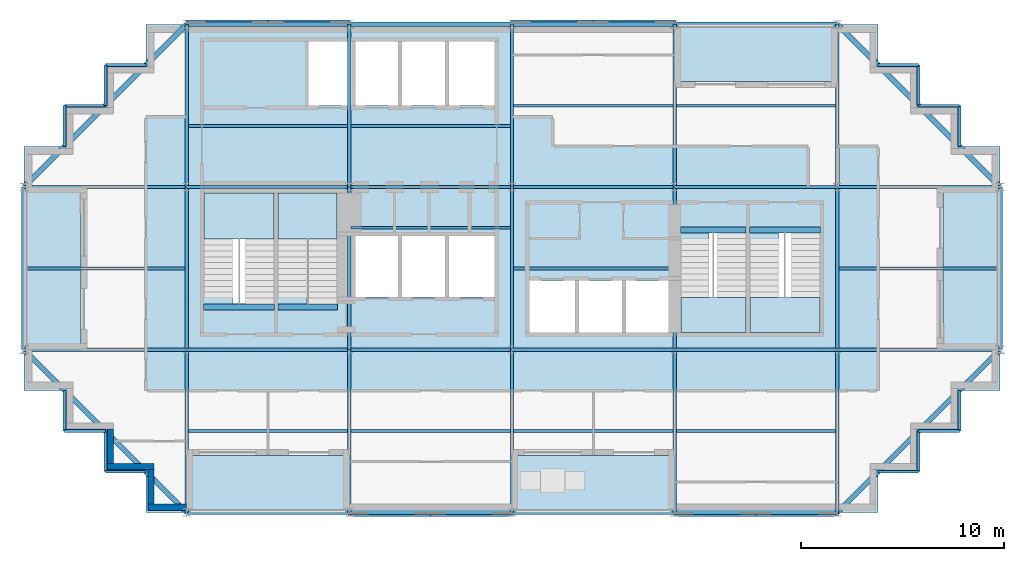
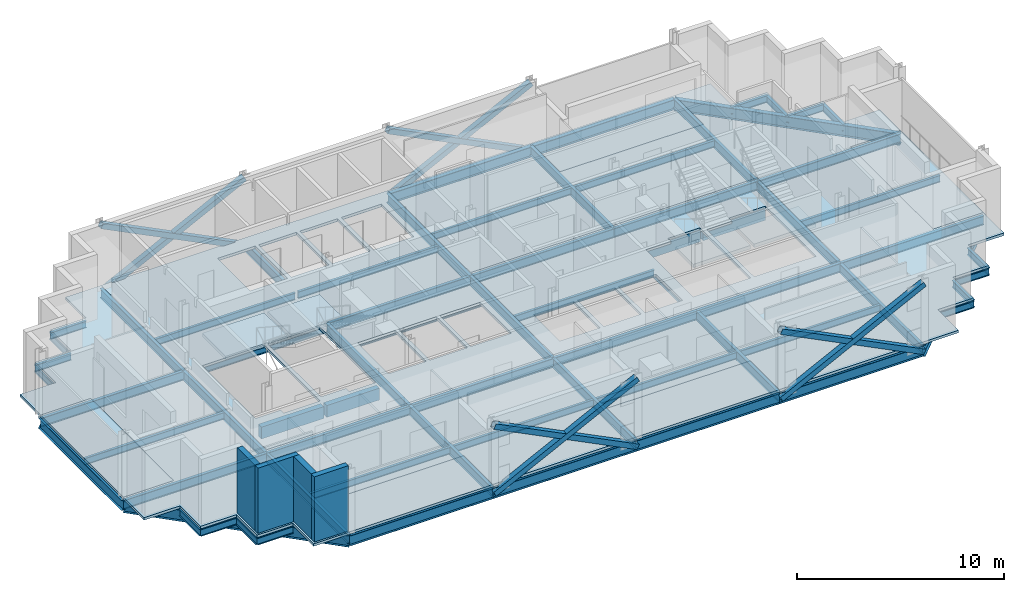
# One storey, part 3 of 10: 73 beams, 12 slabs, 8 members, 4 walls, 4 elements without a shape of their own.
"""IFC4 building model written with IfcOpenShell, lengths in metres."""

from ifc_helpers import new_model, si_unit, direction, frame, frame_2d, origin, origin_2d, place, context, subcontext, project, spatial, polyline, rectangle, hollow_rectangle, i_section, outline, extrude, material, layer, layer_set, material_profile, profile_set, type_object, element, aggregate, save


model = new_model("IFC4")

# Units and contexts
model_context = context("Model", 3, precision=1e-05, world=origin(), true_north=direction((0.0, 1.0)))
body_context = subcontext(model_context, "Body", "Model", "MODEL_VIEW")
ifc_project = project(units=[si_unit("LENGTHUNIT", "METRE"), si_unit("AREAUNIT", "SQUARE_METRE"), si_unit("VOLUMEUNIT", "CUBIC_METRE"), si_unit("PLANEANGLEUNIT", "RADIAN"), si_unit("MASSUNIT", "GRAM", prefix="KILO")], contexts=[model_context])

# Site, building, storey
site_placement = place(None, origin())
site = spatial("IfcSite", under=ifc_project, at=site_placement, CompositionType="ELEMENT")
building_placement = place(site_placement, origin())
building = spatial("IfcBuilding", under=site, at=building_placement, Name="Immortelle Media Tower", CompositionType="ELEMENT")
storey_placement = place(building_placement, frame((0.0, 0.0, 255.0)))
storey = spatial("IfcBuildingStorey", under=building, at=storey_placement, Name="L55", CompositionType="ELEMENT", Elevation=255.0)

# Members
ifc_material_1 = material(Name="Steel ASTM A500 Gr C", Category="steel")
ifc_material_profile_1 = material_profile(ifc_material_1, hollow_rectangle(XDim=0.304931640625, YDim=0.304931640625, WallThickness=0.011962890625, at=origin_2d()), Name="HSS12x12x1/2 brace")
ifc_profile_set_1 = profile_set([ifc_material_profile_1], Name="Steel ASTM A500 Gr C")
member_type = type_object("IfcMemberType", Name="HSS12x12x1/2 brace", PredefinedType="BRACE", material=ifc_profile_set_1)
for number, where, z_axis, x_axis, name in (
    (1, (16.0, -0.0625, -0.4560546875), (0.894427191, 0.0, 0.4472135955), (0.0, 1.0, 0.0), "Brace A/3-4 A"),
    (2, (16.0, -0.0625, 3.5439453125), (0.894427191, 0.0, -0.4472135955), (0.0, 1.0, 0.0), "Brace A/3-4 B"),
    (3, (32.0, -0.0625, -0.4560546875), (0.894427191, 0.0, 0.4472135955), (0.0, 1.0, 0.0), "Brace A/5-6 A"),
    (4, (32.0, -0.0625, 3.5439453125), (0.894427191, 0.0, -0.4472135955), (0.0, 1.0, 0.0), "Brace A/5-6 B"),
    (5, (32.0, 24.0625, -0.4560546875), (-0.894427191, 0.0, 0.4472135955), (0.0, -1.0, 0.0), "Brace D/4-5 A"),
    (6, (32.0, 24.0625, 3.5439453125), (-0.894427191, 0.0, -0.4472135955), (0.0, -1.0, 0.0), "Brace D/4-5 B"),
    (7, (16.0, 24.0625, -0.4560546875), (-0.894427191, 0.0, 0.4472135955), (0.0, -1.0, 0.0), "Brace D/2-3 A"),
    (8, (16.0, 24.0625, 3.5439453125), (-0.894427191, 0.0, -0.4472135955), (0.0, -1.0, 0.0), "Brace D/2-3 B"),
):
    element("IfcMember", number, at=place(storey_placement, frame(where, z_axis=z_axis, x_axis=x_axis)), inside=storey, type_object=member_type, Name=name, PredefinedType="BRACE", context=body_context, shape_type="SweptSolid", body=[
        extrude(hollow_rectangle(XDim=0.304931640625, YDim=0.304931640625, WallThickness=0.011962890625, at=origin_2d()), origin(), (0.0, 0.0, 1.0), 8.9443359375),
    ])

# Beams
ifc_material_2 = material(Name="Concrete C50/60", Category="concrete")
ifc_material_profile_2 = material_profile(ifc_material_2, rectangle(XDim=0.300048828125, YDim=0.699951171875, at=origin_2d()), Name="RC 300x700")
ifc_profile_set_2 = profile_set([ifc_material_profile_2], Name="Concrete C50/60")
beam_type_1 = type_object("IfcBeamType", Name="Stair trimmer beam 300 x 700", PredefinedType="BEAM", material=ifc_profile_set_2)
beam_1_placement = place(storey_placement, frame((8.830078125, 10.10498046875, -0.5), z_axis=(1.0, 0.0, 0.0), x_axis=(0.0, 1.0, 0.0)))
element("IfcBeam", 9, at=beam_1_placement, inside=storey, type_object=beam_type_1, Name="Stair trimmer beam SW1", PredefinedType="BEAM", context=body_context, shape_type="SweptSolid", body=[
    extrude(rectangle(XDim=0.300048828125, YDim=0.699951171875, at=origin_2d()), origin(), (0.0, 0.0, 1.0), 3.489990234375),
])
beam_2_placement = place(storey_placement, frame((12.47998046875, 10.10498046875, -0.5), z_axis=(1.0, 0.0, 0.0), x_axis=(0.0, 1.0, 0.0)))
element("IfcBeam", 10, at=beam_2_placement, inside=storey, type_object=beam_type_1, Name="Stair trimmer beam SW2", PredefinedType="BEAM", context=body_context, shape_type="SweptSolid", body=[
    extrude(rectangle(XDim=0.300048828125, YDim=0.699951171875, at=origin_2d()), origin(), (0.0, 0.0, 1.0), 2.93994140625),
])
beam_3_placement = place(storey_placement, frame((32.280029296875, 13.89501953125, -0.5), z_axis=(1.0, 0.0, 0.0), x_axis=(0.0, 1.0, 0.0)))
element("IfcBeam", 11, at=beam_3_placement, inside=storey, type_object=beam_type_1, Name="Stair trimmer beam SE1", PredefinedType="BEAM", context=body_context, shape_type="SweptSolid", body=[
    extrude(rectangle(XDim=0.300048828125, YDim=0.699951171875, at=origin_2d()), origin(), (0.0, 0.0, 1.0), 3.239990234375),
])
beam_4_placement = place(storey_placement, frame((35.679931640625, 13.89501953125, -0.5), z_axis=(1.0, 0.0, 0.0), x_axis=(0.0, 1.0, 0.0)))
element("IfcBeam", 12, at=beam_4_placement, inside=storey, type_object=beam_type_1, Name="Stair trimmer beam SE2", PredefinedType="BEAM", context=body_context, shape_type="SweptSolid", body=[
    extrude(rectangle(XDim=0.300048828125, YDim=0.699951171875, at=origin_2d()), origin(), (0.0, 0.0, 1.0), 3.489990234375),
])
ifc_material_3 = material(Name="Steel ASTM A992 Gr 50", Category="steel")
ifc_material_profile_3 = material_profile(ifc_material_3, i_section(OverallWidth=0.139892578125, OverallDepth=0.404052734375, WebThickness=0.007080078125, FlangeThickness=0.010986328125, at=origin_2d()), Name="W16x31")
ifc_profile_set_3 = profile_set([ifc_material_profile_3], Name="Steel ASTM A992 Gr 50")
beam_type_2 = type_object("IfcBeamType", Name="W16x31 secondary beam", PredefinedType="JOIST", material=ifc_profile_set_3)
for number, where, z_axis, x_axis, name in (
    (13, (8.08349609375, 4.0, -0.35205078125), (1.0, 0.0, 0.0), (0.0, 1.0, 0.0), "Beam A-B/2-3"),
    (14, (16.08349609375, 4.0, -0.35205078125), (1.0, 0.0, 0.0), (0.0, 1.0, 0.0), "Beam A-B/3-4"),
    (15, (24.08349609375, 4.0, -0.35205078125), (1.0, 0.0, 0.0), (0.0, 1.0, 0.0), "Beam A-B/4-5"),
    (16, (32.08349609375, 4.0, -0.35205078125), (1.0, 0.0, 0.0), (0.0, 1.0, 0.0), "Beam A-B/5-6"),
):
    element("IfcBeam", number, at=place(storey_placement, frame(where, z_axis=z_axis, x_axis=x_axis)), inside=storey, type_object=beam_type_2, Name=name, PredefinedType="JOIST", context=body_context, shape_type="SweptSolid", body=[
        extrude(i_section(OverallWidth=0.139892578125, OverallDepth=0.404052734375, WebThickness=0.007080078125, FlangeThickness=0.010986328125, at=origin_2d()), origin(), (0.0, 0.0, 1.0), 7.8330078125),
    ])
beam_5_placement = place(storey_placement, frame((0.114501953125, 12.0, -0.35205078125), z_axis=(1.0, 0.0, 0.0), x_axis=(0.0, 1.0, 0.0)))
element("IfcBeam", 17, at=beam_5_placement, inside=storey, type_object=beam_type_2, Name="Beam B-C/1-2", PredefinedType="JOIST", context=body_context, shape_type="SweptSolid", body=[
    extrude(i_section(OverallWidth=0.139892578125, OverallDepth=0.404052734375, WebThickness=0.007080078125, FlangeThickness=0.010986328125, at=origin_2d()), origin(), (0.0, 0.0, 1.0), 7.802001953125),
])
for number, where, z_axis, x_axis, name in (
    (18, (16.08349609375, 14.0, -0.35205078125), (1.0, 0.0, 0.0), (0.0, 1.0, 0.0), "Beam B-C/3-4"),
    (19, (24.08349609375, 12.0, -0.35205078125), (1.0, 0.0, 0.0), (0.0, 1.0, 0.0), "Beam B-C/4-5"),
):
    element("IfcBeam", number, at=place(storey_placement, frame(where, z_axis=z_axis, x_axis=x_axis)), inside=storey, type_object=beam_type_2, Name=name, PredefinedType="JOIST", context=body_context, shape_type="SweptSolid", body=[
        extrude(i_section(OverallWidth=0.139892578125, OverallDepth=0.404052734375, WebThickness=0.007080078125, FlangeThickness=0.010986328125, at=origin_2d()), origin(), (0.0, 0.0, 1.0), 7.8330078125),
    ])
beam_6_placement = place(storey_placement, frame((40.08349609375, 12.0, -0.35205078125), z_axis=(1.0, 0.0, 0.0), x_axis=(0.0, 1.0, 0.0)))
element("IfcBeam", 20, at=beam_6_placement, inside=storey, type_object=beam_type_2, Name="Beam B-C/6-7", PredefinedType="JOIST", context=body_context, shape_type="SweptSolid", body=[
    extrude(i_section(OverallWidth=0.139892578125, OverallDepth=0.404052734375, WebThickness=0.007080078125, FlangeThickness=0.010986328125, at=origin_2d()), origin(), (0.0, 0.0, 1.0), 7.802001953125),
])
for number, where, z_axis, x_axis, name in (
    (21, (8.08349609375, 19.0, -0.35205078125), (1.0, 0.0, 0.0), (0.0, 1.0, 0.0), "Beam C-D/2-3"),
    (22, (16.08349609375, 19.0, -0.35205078125), (1.0, 0.0, 0.0), (0.0, 1.0, 0.0), "Beam C-D/3-4"),
    (23, (24.08349609375, 20.0, -0.35205078125), (1.0, 0.0, 0.0), (0.0, 1.0, 0.0), "Beam C-D/4-5"),
    (24, (32.08349609375, 20.0, -0.35205078125), (1.0, 0.0, 0.0), (0.0, 1.0, 0.0), "Beam C-D/5-6"),
):
    element("IfcBeam", number, at=place(storey_placement, frame(where, z_axis=z_axis, x_axis=x_axis)), inside=storey, type_object=beam_type_2, Name=name, PredefinedType="JOIST", context=body_context, shape_type="SweptSolid", body=[
        extrude(i_section(OverallWidth=0.139892578125, OverallDepth=0.404052734375, WebThickness=0.007080078125, FlangeThickness=0.010986328125, at=origin_2d()), origin(), (0.0, 0.0, 1.0), 7.8330078125),
    ])
ifc_material_profile_4 = material_profile(ifc_material_3, i_section(OverallWidth=0.139892578125, OverallDepth=0.404052734375, WebThickness=0.007080078125, FlangeThickness=0.010986328125, at=origin_2d()), Name="W16x31")
ifc_profile_set_4 = profile_set([ifc_material_profile_4], Name="Steel ASTM A992 Gr 50")
beam_type_3 = type_object("IfcBeamType", Name="W16x31 serration edge beam", PredefinedType="SPANDREL", material=ifc_profile_set_4)
for number, where, z_axis, x_axis, name in (
    (25, (6.0, 2.0, -0.35205078125), (-1.0, 0.0, 0.0), (0.0, -1.0, 0.0), "Corner edge beam 1 at 1/A"),
    (26, (4.0, 2.0, -0.35205078125), (0.0, 1.0, 0.0), (-1.0, 0.0, 0.0), "Corner edge beam 2 at 1/A"),
    (27, (4.0, 4.0, -0.35205078125), (-1.0, 0.0, 0.0), (0.0, -1.0, 0.0), "Corner edge beam 3 at 1/A"),
    (28, (2.0, 4.0, -0.35205078125), (0.0, 1.0, 0.0), (-1.0, 0.0, 0.0), "Corner edge beam 4 at 1/A"),
    (29, (2.0, 18.0, -0.35205078125), (0.0, 1.0, 0.0), (-1.0, 0.0, 0.0), "Corner edge beam 1 at 1/D"),
    (30, (2.0, 20.0, -0.35205078125), (1.0, 0.0, 0.0), (0.0, 1.0, 0.0), "Corner edge beam 2 at 1/D"),
    (31, (4.0, 20.0, -0.35205078125), (0.0, 1.0, 0.0), (-1.0, 0.0, 0.0), "Corner edge beam 3 at 1/D"),
    (32, (4.0, 22.0, -0.35205078125), (1.0, 0.0, 0.0), (0.0, 1.0, 0.0), "Corner edge beam 4 at 1/D"),
    (33, (46.0, 6.0, -0.35205078125), (0.0, -1.0, 0.0), (1.0, 0.0, 0.0), "Corner edge beam 1 at 7/A"),
    (34, (46.0, 4.0, -0.35205078125), (-1.0, 0.0, 0.0), (0.0, -1.0, 0.0), "Corner edge beam 2 at 7/A"),
    (35, (44.0, 4.0, -0.35205078125), (0.0, -1.0, 0.0), (1.0, 0.0, 0.0), "Corner edge beam 3 at 7/A"),
    (36, (44.0, 2.0, -0.35205078125), (-1.0, 0.0, 0.0), (0.0, -1.0, 0.0), "Corner edge beam 4 at 7/A"),
    (37, (42.0, 22.0, -0.35205078125), (1.0, 0.0, 0.0), (0.0, 1.0, 0.0), "Corner edge beam 1 at 7/D"),
    (38, (44.0, 22.0, -0.35205078125), (0.0, -1.0, 0.0), (1.0, 0.0, 0.0), "Corner edge beam 2 at 7/D"),
    (39, (44.0, 20.0, -0.35205078125), (1.0, 0.0, 0.0), (0.0, 1.0, 0.0), "Corner edge beam 3 at 7/D"),
    (40, (46.0, 20.0, -0.35205078125), (0.0, -1.0, 0.0), (1.0, 0.0, 0.0), "Corner edge beam 4 at 7/D"),
):
    element("IfcBeam", number, at=place(storey_placement, frame(where, z_axis=z_axis, x_axis=x_axis)), inside=storey, type_object=beam_type_3, Name=name, PredefinedType="SPANDREL", context=body_context, shape_type="SweptSolid", body=[
        extrude(i_section(OverallWidth=0.139892578125, OverallDepth=0.404052734375, WebThickness=0.007080078125, FlangeThickness=0.010986328125, at=origin_2d()), origin(), (0.0, 0.0, 1.0), 2.0),
    ])
ifc_material_profile_5 = material_profile(ifc_material_3, i_section(OverallWidth=0.1669921875, OverallDepth=0.535888671875, WebThickness=0.010009765625, FlangeThickness=0.01708984375, at=origin_2d()), Name="W21x57")
ifc_profile_set_5 = profile_set([ifc_material_profile_5], Name="Steel ASTM A992 Gr 50")
beam_type_4 = type_object("IfcBeamType", Name="W21x57 girder", PredefinedType="BEAM", material=ifc_profile_set_5)
for number, where, z_axis, x_axis, name in (
    (41, (0.0, 8.0, -0.41796875), (1.0, 0.0, 0.0), (0.0, 1.0, 0.0), "Girder B/1-2"),
    (42, (0.0, 16.0, -0.41796875), (1.0, 0.0, 0.0), (0.0, 1.0, 0.0), "Girder C/1-2"),
    (43, (8.0, 0.0, -0.41796875), (0.0, 1.0, 0.0), (-1.0, 0.0, 0.0), "Girder 2/A-B"),
    (44, (8.0, 8.0, -0.41796875), (1.0, 0.0, 0.0), (0.0, 1.0, 0.0), "Girder B/2-3"),
    (45, (8.0, 8.0, -0.41796875), (0.0, 1.0, 0.0), (-1.0, 0.0, 0.0), "Girder 2/B-C"),
    (46, (8.0, 16.0, -0.41796875), (1.0, 0.0, 0.0), (0.0, 1.0, 0.0), "Girder C/2-3"),
    (47, (8.0, 16.0, -0.41796875), (0.0, 1.0, 0.0), (-1.0, 0.0, 0.0), "Girder 2/C-D"),
    (48, (16.0, 0.0, -0.41796875), (0.0, 1.0, 0.0), (-1.0, 0.0, 0.0), "Girder 3/A-B"),
    (49, (16.0, 8.0, -0.41796875), (1.0, 0.0, 0.0), (0.0, 1.0, 0.0), "Girder B/3-4"),
    (50, (16.0, 8.0, -0.41796875), (0.0, 1.0, 0.0), (-1.0, 0.0, 0.0), "Girder 3/B-C"),
    (51, (16.0, 16.0, -0.41796875), (1.0, 0.0, 0.0), (0.0, 1.0, 0.0), "Girder C/3-4"),
    (52, (16.0, 16.0, -0.41796875), (0.0, 1.0, 0.0), (-1.0, 0.0, 0.0), "Girder 3/C-D"),
    (53, (24.0, 0.0, -0.41796875), (0.0, 1.0, 0.0), (-1.0, 0.0, 0.0), "Girder 4/A-B"),
    (54, (24.0, 8.0, -0.41796875), (1.0, 0.0, 0.0), (0.0, 1.0, 0.0), "Girder B/4-5"),
    (55, (24.0, 8.0, -0.41796875), (0.0, 1.0, 0.0), (-1.0, 0.0, 0.0), "Girder 4/B-C"),
    (56, (24.0, 16.0, -0.41796875), (1.0, 0.0, 0.0), (0.0, 1.0, 0.0), "Girder C/4-5"),
    (57, (24.0, 16.0, -0.41796875), (0.0, 1.0, 0.0), (-1.0, 0.0, 0.0), "Girder 4/C-D"),
    (58, (32.0, 0.0, -0.41796875), (0.0, 1.0, 0.0), (-1.0, 0.0, 0.0), "Girder 5/A-B"),
    (59, (32.0, 8.0, -0.41796875), (1.0, 0.0, 0.0), (0.0, 1.0, 0.0), "Girder B/5-6"),
    (60, (32.0, 8.0, -0.41796875), (0.0, 1.0, 0.0), (-1.0, 0.0, 0.0), "Girder 5/B-C"),
    (61, (32.0, 16.0, -0.41796875), (1.0, 0.0, 0.0), (0.0, 1.0, 0.0), "Girder C/5-6"),
    (62, (32.0, 16.0, -0.41796875), (0.0, 1.0, 0.0), (-1.0, 0.0, 0.0), "Girder 5/C-D"),
    (63, (40.0, 0.0, -0.41796875), (0.0, 1.0, 0.0), (-1.0, 0.0, 0.0), "Girder 6/A-B"),
    (64, (40.0, 8.0, -0.41796875), (1.0, 0.0, 0.0), (0.0, 1.0, 0.0), "Girder B/6-7"),
    (65, (40.0, 8.0, -0.41796875), (0.0, 1.0, 0.0), (-1.0, 0.0, 0.0), "Girder 6/B-C"),
    (66, (40.0, 16.0, -0.41796875), (1.0, 0.0, 0.0), (0.0, 1.0, 0.0), "Girder C/6-7"),
    (67, (40.0, 16.0, -0.41796875), (0.0, 1.0, 0.0), (-1.0, 0.0, 0.0), "Girder 6/C-D"),
):
    element("IfcBeam", number, at=place(storey_placement, frame(where, z_axis=z_axis, x_axis=x_axis)), inside=storey, type_object=beam_type_4, Name=name, PredefinedType="BEAM", context=body_context, shape_type="SweptSolid", body=[
        extrude(i_section(OverallWidth=0.1669921875, OverallDepth=0.535888671875, WebThickness=0.010009765625, FlangeThickness=0.01708984375, at=origin_2d()), origin(), (0.0, 0.0, 1.0), 8.0),
    ])
ifc_material_profile_6 = material_profile(ifc_material_3, i_section(OverallWidth=0.22900390625, OverallDepth=0.612060546875, WebThickness=0.011962890625, FlangeThickness=0.02001953125, at=origin_2d()), Name="W24x84")
ifc_profile_set_6 = profile_set([ifc_material_profile_6], Name="Steel ASTM A992 Gr 50")
beam_type_5 = type_object("IfcBeamType", Name="W24x84 perimeter girder", PredefinedType="SPANDREL", material=ifc_profile_set_6)
for number, where, z_axis, x_axis, name in (
    (68, (0.0, 8.0, -0.4560546875), (0.0, 1.0, 0.0), (-1.0, 0.0, 0.0), "Girder 1/B-C"),
    (69, (8.0, 0.0, -0.4560546875), (1.0, 0.0, 0.0), (0.0, 1.0, 0.0), "Girder A/2-3"),
    (70, (8.0, 24.0, -0.4560546875), (1.0, 0.0, 0.0), (0.0, 1.0, 0.0), "Girder D/2-3"),
    (71, (16.0, 0.0, -0.4560546875), (1.0, 0.0, 0.0), (0.0, 1.0, 0.0), "Girder A/3-4"),
    (72, (16.0, 24.0, -0.4560546875), (1.0, 0.0, 0.0), (0.0, 1.0, 0.0), "Girder D/3-4"),
    (73, (24.0, 0.0, -0.4560546875), (1.0, 0.0, 0.0), (0.0, 1.0, 0.0), "Girder A/4-5"),
    (74, (24.0, 24.0, -0.4560546875), (1.0, 0.0, 0.0), (0.0, 1.0, 0.0), "Girder D/4-5"),
    (75, (32.0, 0.0, -0.4560546875), (1.0, 0.0, 0.0), (0.0, 1.0, 0.0), "Girder A/5-6"),
    (76, (32.0, 24.0, -0.4560546875), (1.0, 0.0, 0.0), (0.0, 1.0, 0.0), "Girder D/5-6"),
    (77, (48.0, 8.0, -0.4560546875), (0.0, 1.0, 0.0), (-1.0, 0.0, 0.0), "Girder 7/B-C"),
):
    element("IfcBeam", number, at=place(storey_placement, frame(where, z_axis=z_axis, x_axis=x_axis)), inside=storey, type_object=beam_type_5, Name=name, PredefinedType="SPANDREL", context=body_context, shape_type="SweptSolid", body=[
        extrude(i_section(OverallWidth=0.22900390625, OverallDepth=0.612060546875, WebThickness=0.011962890625, FlangeThickness=0.02001953125, at=origin_2d()), origin(), (0.0, 0.0, 1.0), 8.0),
    ])
ifc_material_profile_7 = material_profile(ifc_material_3, i_section(OverallWidth=0.2529296875, OverallDepth=0.677978515625, WebThickness=0.011962890625, FlangeThickness=0.01611328125, at=origin_2d()), Name="W27x84")
ifc_profile_set_7 = profile_set([ifc_material_profile_7], Name="Steel ASTM A992 Gr 50")
beam_type_6 = type_object("IfcBeamType", Name="W27x84 corner girder", PredefinedType="SPANDREL", material=ifc_profile_set_7)
for number, where, z_axis, x_axis, name in (
    (78, (8.0, 0.0, -0.489013671875), (-0.707106781187, 0.707106781187, 0.0), (-0.707106781187, -0.707106781187, 0.0), "Corner girder at 1/A"),
    (79, (0.0, 16.0, -0.489013671875), (0.707106781187, 0.707106781187, 0.0), (-0.707106781187, 0.707106781187, 0.0), "Corner girder at 1/D"),
    (80, (48.0, 8.0, -0.489013671875), (-0.707106781187, -0.707106781187, 0.0), (0.707106781187, -0.707106781187, 0.0), "Corner girder at 7/A"),
    (81, (40.0, 24.0, -0.489013671875), (0.707106781187, -0.707106781187, 0.0), (0.707106781187, 0.707106781187, 0.0), "Corner girder at 7/D"),
):
    element("IfcBeam", number, at=place(storey_placement, frame(where, z_axis=z_axis, x_axis=x_axis)), inside=storey, type_object=beam_type_6, Name=name, PredefinedType="SPANDREL", context=body_context, shape_type="SweptSolid", body=[
        extrude(i_section(OverallWidth=0.2529296875, OverallDepth=0.677978515625, WebThickness=0.011962890625, FlangeThickness=0.01611328125, at=origin_2d()), origin(), (0.0, 0.0, 1.0), 11.313720703125),
    ])

# Slabs
ifc_material_4 = material(Name="Concrete C50/60 composite deck", Category="concrete")
ifc_layer_1 = layer(ifc_material_4, 0.14990234375)
ifc_layer_set_1 = layer_set([ifc_layer_1], Name="Concrete C50/60 composite deck")
slab_type_1 = type_object("IfcSlabType", Name="Balcony slab 150", PredefinedType="FLOOR", material=ifc_layer_set_1)
slab_1_placement = place(storey_placement, frame((0.0, 0.0, -0.14990234375)))
element("IfcSlab", 82, at=slab_1_placement, inside=storey, type_object=slab_type_1, Name="Balcony slab L55 S0", PredefinedType="FLOOR", context=body_context, shape_type="SweptSolid", body=[
    extrude(outline(polyline([(16.0, 0.0), (16.0, 2.800048828125), (8.0, 2.800048828125), (8.0, 0.0), (16.0, 0.0)])), origin(), (0.0, 0.0, 1.0), 0.14990234375),
])
slab_2_placement = place(storey_placement, frame((0.0, 0.0, -0.14990234375)))
element("IfcSlab", 83, at=slab_2_placement, inside=storey, type_object=slab_type_1, Name="Balcony slab L55 S2", PredefinedType="FLOOR", context=body_context, shape_type="SweptSolid", body=[
    extrude(outline(polyline([(32.0, 0.0), (32.0, 2.800048828125), (24.0, 2.800048828125), (24.0, 0.0), (32.0, 0.0)])), origin(), (0.0, 0.0, 1.0), 0.14990234375),
])
slab_3_placement = place(storey_placement, frame((0.0, 0.0, -0.14990234375)))
element("IfcSlab", 84, at=slab_3_placement, inside=storey, type_object=slab_type_1, Name="Balcony slab L55 E0", PredefinedType="FLOOR", context=body_context, shape_type="SweptSolid", body=[
    extrude(outline(polyline([(48.0, 8.0), (48.0, 16.0), (45.199951171875, 16.0), (45.199951171875, 8.0), (48.0, 8.0)])), origin(), (0.0, 0.0, 1.0), 0.14990234375),
])
slab_4_placement = place(storey_placement, frame((0.0, 0.0, -0.14990234375)))
element("IfcSlab", 85, at=slab_4_placement, inside=storey, type_object=slab_type_1, Name="Balcony slab L55 N0", PredefinedType="FLOOR", context=body_context, shape_type="SweptSolid", body=[
    extrude(outline(polyline([(40.0, 21.199951171875), (40.0, 24.0), (32.0, 24.0), (32.0, 21.199951171875), (40.0, 21.199951171875)])), origin(), (0.0, 0.0, 1.0), 0.14990234375),
])
slab_5_placement = place(storey_placement, frame((0.0, 0.0, -0.14990234375)))
element("IfcSlab", 86, at=slab_5_placement, inside=storey, type_object=slab_type_1, Name="Balcony slab L55 W0", PredefinedType="FLOOR", context=body_context, shape_type="SweptSolid", body=[
    extrude(outline(polyline([(2.800048828125, 8.0), (2.800048828125, 16.0), (0.0, 16.0), (0.0, 8.0), (2.800048828125, 8.0)])), origin(), (0.0, 0.0, 1.0), 0.14990234375),
])
ifc_layer_2 = layer(ifc_material_2, 0.14990234375)
ifc_layer_set_2 = layer_set([ifc_layer_2], Name="Concrete C50/60")
slab_type_2 = type_object("IfcSlabType", Name="Composite floor slab 150", PredefinedType="FLOOR", material=ifc_layer_set_2)
slab_6_placement = place(storey_placement, frame((0.0, 0.0, -0.14990234375)))
element("IfcSlab", 87, at=slab_6_placement, inside=storey, type_object=slab_type_2, Name="Floor slab L55", PredefinedType="FLOOR", context=body_context, shape_type="SweptSolid", body=[
    extrude(outline(polyline([(6.0, 0.0), (6.0, 2.0), (4.0, 2.0), (4.0, 4.0), (2.0, 4.0), (2.0, 6.0), (0.0, 6.0), (0.0, 8.0), (2.800048828125, 8.0), (2.800048828125, 16.0), (0.0, 16.0), (0.0, 18.0), (2.0, 18.0), (2.0, 20.0), (4.0, 20.0), (4.0, 22.0), (6.0, 22.0), (6.0, 24.0), (8.0, 24.0), (8.0, 8.0), (24.0, 8.0), (40.0, 8.0), (40.0, 16.0), (24.0, 16.0), (24.0, 21.199951171875), (24.0, 24.0), (32.0, 24.0), (32.0, 21.199951171875), (40.0, 21.199951171875), (40.0, 24.0), (42.0, 24.0), (42.0, 22.0), (44.0, 22.0), (44.0, 20.0), (46.0, 20.0), (46.0, 18.0), (48.0, 18.0), (48.0, 16.0), (45.199951171875, 16.0), (45.199951171875, 8.0), (48.0, 8.0), (48.0, 6.0), (46.0, 6.0), (46.0, 4.0), (44.0, 4.0), (44.0, 2.0), (42.0, 2.0), (42.0, 0.0), (32.0, 0.0), (32.0, 2.800048828125), (24.0, 2.800048828125), (24.0, 0.0), (16.0, 0.0), (16.0, 2.800048828125), (8.0, 2.800048828125), (8.0, 0.0), (6.0, 0.0)])), origin(), (0.0, 0.0, 1.0), 0.14990234375),
])
ifc_layer_3 = layer(ifc_material_2, 0.14990234375)
ifc_layer_set_3 = layer_set([ifc_layer_3], Name="Concrete C50/60")
slab_type_3 = type_object("IfcSlabType", Name="Core floor slab 150", PredefinedType="FLOOR", material=ifc_layer_set_3)
slab_7_placement = place(storey_placement, frame((0.0, 0.0, -0.14990234375)))
element("IfcSlab", 88, at=slab_7_placement, inside=storey, type_object=slab_type_3, Name="Core floor SW", PredefinedType="FLOOR", context=body_context, shape_type="SweptSolid", body=[
    extrude(outline(polyline([(8.0, 8.0), (24.0, 8.0), (24.0, 24.0), (8.0, 24.0), (8.0, 8.0)]), holes=[polyline([(14.0, 20.0), (16.10009765625, 20.0), (16.10009765625, 23.14990234375), (14.0, 23.14990234375), (14.0, 20.0)]), polyline([(16.300048828125, 20.0), (18.39990234375, 20.0), (18.39990234375, 23.14990234375), (16.300048828125, 23.14990234375), (16.300048828125, 20.0)]), polyline([(18.60009765625, 20.0), (20.699951171875, 20.0), (20.699951171875, 23.14990234375), (18.60009765625, 23.14990234375), (18.60009765625, 20.0)]), polyline([(20.89990234375, 20.0), (23.14990234375, 20.0), (23.14990234375, 23.14990234375), (20.89990234375, 23.14990234375), (20.89990234375, 20.0)]), polyline([(16.300048828125, 10.60009765625), (18.39990234375, 10.60009765625), (18.39990234375, 13.60009765625), (16.300048828125, 13.60009765625), (16.300048828125, 10.60009765625)]), polyline([(18.60009765625, 10.60009765625), (20.699951171875, 10.60009765625), (20.699951171875, 13.60009765625), (18.60009765625, 13.60009765625), (18.60009765625, 10.60009765625)]), polyline([(20.89990234375, 10.60009765625), (23.14990234375, 10.60009765625), (23.14990234375, 13.60009765625), (20.89990234375, 13.60009765625), (20.89990234375, 10.60009765625)]), polyline([(8.85009765625, 15.699951171875), (12.300048828125, 15.699951171875), (12.300048828125, 10.27001953125), (10.25, 10.27001953125), (10.25, 10.56005859375), (8.85009765625, 10.56005859375), (8.85009765625, 15.699951171875)]), polyline([(12.5, 15.699951171875), (15.39990234375, 15.699951171875), (15.39990234375, 10.27001953125), (13.89990234375, 10.27001953125), (13.89990234375, 10.56005859375), (12.5, 10.56005859375), (12.5, 15.699951171875)])]), origin(), (0.0, 0.0, 1.0), 0.14990234375),
])
slab_8_placement = place(storey_placement, frame((0.0, 0.0, -0.14990234375)))
element("IfcSlab", 89, at=slab_8_placement, inside=storey, type_object=slab_type_3, Name="Core floor SE", PredefinedType="FLOOR", context=body_context, shape_type="SweptSolid", body=[
    extrude(outline(polyline([(24.0, 8.0), (40.0, 8.0), (40.0, 16.0), (24.0, 16.0), (24.0, 8.0)]), holes=[polyline([(24.85009765625, 8.85009765625), (27.10009765625, 8.85009765625), (27.10009765625, 11.39990234375), (24.85009765625, 11.39990234375), (24.85009765625, 8.85009765625)]), polyline([(27.300048828125, 8.85009765625), (29.39990234375, 8.85009765625), (29.39990234375, 11.39990234375), (27.300048828125, 11.39990234375), (27.300048828125, 8.85009765625)]), polyline([(29.60009765625, 8.85009765625), (31.699951171875, 8.85009765625), (31.699951171875, 11.39990234375), (29.60009765625, 11.39990234375), (29.60009765625, 8.85009765625)]), polyline([(35.5, 13.72998046875), (35.5, 8.85009765625), (32.300048828125, 8.85009765625), (32.300048828125, 13.43994140625), (33.699951171875, 13.43994140625), (33.699951171875, 13.72998046875), (35.5, 13.72998046875)]), polyline([(39.14990234375, 13.72998046875), (39.14990234375, 8.85009765625), (35.699951171875, 8.85009765625), (35.699951171875, 13.43994140625), (37.10009765625, 13.43994140625), (37.10009765625, 13.72998046875), (39.14990234375, 13.72998046875)])]), origin(), (0.0, 0.0, 1.0), 0.14990234375),
])

# Stair, slab
stair_type = type_object("IfcStairType", Name="Stair with flights", PredefinedType="DOUBLE_RETURN_STAIR", material=ifc_material_3)
stair_1_placement = place(storey_placement, origin())
stair_1 = element("IfcStair", 90, at=stair_1_placement, inside=storey, type_object=stair_type, Name="Exit stair SW1", PredefinedType="DOUBLE_RETURN_STAIR")
ifc_material_5 = material(Name="Steel ASTM A572 Gr 50", Category="steel")
ifc_layer_4 = layer(ifc_material_5, 0.199951171875)
ifc_layer_set_4 = layer_set([ifc_layer_4], Name="Steel ASTM A572 Gr 50")
slab_type_4 = type_object("IfcSlabType", Name="Stair landing 200", PredefinedType="LANDING", material=ifc_layer_set_4)
slab_9_placement = place(storey_placement, frame((0.0, 0.0, 1.713134765625)))
slab_9 = element("IfcSlab", 91, at=slab_9_placement, type_object=slab_type_4, Name="ST SW1 landing 1", PredefinedType="LANDING", context=body_context, shape_type="SweptSolid", body=[
    extrude(outline(polyline([(8.85009765625, 13.43994140625), (12.300048828125, 13.43994140625), (12.300048828125, 15.699951171875), (8.85009765625, 15.699951171875), (8.85009765625, 13.43994140625)])), origin(), (0.0, 0.0, 1.0), 0.199951171875),
])
aggregate(stair_1, [slab_9])

stair_2_placement = place(storey_placement, origin())
stair_2 = element("IfcStair", 92, at=stair_2_placement, inside=storey, type_object=stair_type, Name="Exit stair SW2", PredefinedType="DOUBLE_RETURN_STAIR")
slab_10_placement = place(storey_placement, frame((0.0, 0.0, 1.713134765625)))
slab_10 = element("IfcSlab", 93, at=slab_10_placement, type_object=slab_type_4, Name="ST SW2 landing 1", PredefinedType="LANDING", context=body_context, shape_type="SweptSolid", body=[
    extrude(outline(polyline([(12.5, 13.43994140625), (15.39990234375, 13.43994140625), (15.39990234375, 15.699951171875), (12.5, 15.699951171875), (12.5, 13.43994140625)])), origin(), (0.0, 0.0, 1.0), 0.199951171875),
])
aggregate(stair_2, [slab_10])

stair_3_placement = place(storey_placement, origin())
stair_3 = element("IfcStair", 94, at=stair_3_placement, inside=storey, type_object=stair_type, Name="Exit stair SE1", PredefinedType="DOUBLE_RETURN_STAIR")
slab_11_placement = place(storey_placement, frame((0.0, 0.0, 1.713134765625)))
slab_11 = element("IfcSlab", 95, at=slab_11_placement, type_object=slab_type_4, Name="ST SE1 landing 1", PredefinedType="LANDING", context=body_context, shape_type="SweptSolid", body=[
    extrude(outline(polyline([(32.300048828125, 8.85009765625), (35.5, 8.85009765625), (35.5, 10.56005859375), (32.300048828125, 10.56005859375), (32.300048828125, 8.85009765625)])), origin(), (0.0, 0.0, 1.0), 0.199951171875),
])
aggregate(stair_3, [slab_11])

stair_4_placement = place(storey_placement, origin())
stair_4 = element("IfcStair", 96, at=stair_4_placement, inside=storey, type_object=stair_type, Name="Exit stair SE2", PredefinedType="DOUBLE_RETURN_STAIR")
slab_12_placement = place(storey_placement, frame((0.0, 0.0, 1.713134765625)))
slab_12 = element("IfcSlab", 97, at=slab_12_placement, type_object=slab_type_4, Name="ST SE2 landing 1", PredefinedType="LANDING", context=body_context, shape_type="SweptSolid", body=[
    extrude(outline(polyline([(35.699951171875, 8.85009765625), (39.14990234375, 8.85009765625), (39.14990234375, 10.56005859375), (35.699951171875, 10.56005859375), (35.699951171875, 8.85009765625)])), origin(), (0.0, 0.0, 1.0), 0.199951171875),
])
aggregate(stair_4, [slab_12])

# Walls
ifc_material_6 = material(Name="Pale aluminium cladding panel", Category="aluminium")
ifc_layer_5 = layer(ifc_material_6, 0.030029296875)
ifc_material_7 = material(Name="Steel ASTM A653 SS Gr 50 stud frame with mineral wool", Category="steel")
ifc_layer_6 = layer(ifc_material_7, 0.257568359375)
ifc_material_8 = material(Name="Moisture-resistant gypsum board", Category="gypsum")
ifc_layer_7 = layer(ifc_material_8, 0.012451171875)
ifc_layer_set_5 = layer_set([ifc_layer_5, ifc_layer_6, ifc_layer_7], Name="Steel ASTM A653 SS Gr 50 stud frame with mineral wool")
wall_type = type_object("IfcWallType", Name="Facade wall 300", PredefinedType="SOLIDWALL", material=ifc_layer_set_5)
wall_1_placement = place(storey_placement, frame((4.25, 4.10009765625, 0.0), z_axis=(0.0, 0.0, 1.0), x_axis=(0.0, -1.0, 0.0)))
element("IfcWall", 98, at=wall_1_placement, inside=storey, type_object=wall_type, Name="Facade wall L55 W3", PredefinedType="SOLIDWALL", context=body_context, shape_type="SweptSolid", body=[
    extrude(rectangle(XDim=1.7001953125, YDim=0.300048828125, at=frame_2d((0.85009765625, 0.0))), origin(), (0.0, 0.0, 1.0), 3.85009765625),
])
wall_2_placement = place(storey_placement, frame((4.10009765625, 2.25, 0.0), z_axis=(0.0, 0.0, 1.0), x_axis=(1.0, 0.0, 0.0)))
element("IfcWall", 99, at=wall_2_placement, inside=storey, type_object=wall_type, Name="Facade wall L55 S4", PredefinedType="SOLIDWALL", context=body_context, shape_type="SweptSolid", body=[
    extrude(rectangle(XDim=2.2998046875, YDim=0.300048828125, at=frame_2d((1.14990234375, 0.0))), origin(), (0.0, 0.0, 1.0), 3.85009765625),
])
wall_3_placement = place(storey_placement, frame((6.25, 2.10009765625, 0.0), z_axis=(0.0, 0.0, 1.0), x_axis=(0.0, -1.0, 0.0)))
element("IfcWall", 100, at=wall_3_placement, inside=storey, type_object=wall_type, Name="Facade wall L55 W5", PredefinedType="SOLIDWALL", context=body_context, shape_type="SweptSolid", body=[
    extrude(rectangle(XDim=1.7001953125, YDim=0.300048828125, at=frame_2d((0.85009765625, 0.0))), origin(), (0.0, 0.0, 1.0), 3.85009765625),
])
wall_4_placement = place(storey_placement, frame((6.10009765625, 0.25, 0.0), z_axis=(0.0, 0.0, 1.0), x_axis=(1.0, 0.0, 0.0)))
element("IfcWall", 101, at=wall_4_placement, inside=storey, type_object=wall_type, Name="Facade wall L55 S6", PredefinedType="SOLIDWALL", context=body_context, shape_type="SweptSolid", body=[
    extrude(rectangle(XDim=1.89990234375, YDim=0.300048828125, at=frame_2d((0.949951171875, 0.0))), origin(), (0.0, 0.0, 1.0), 3.85009765625),
])

save(model, "model.ifc")
